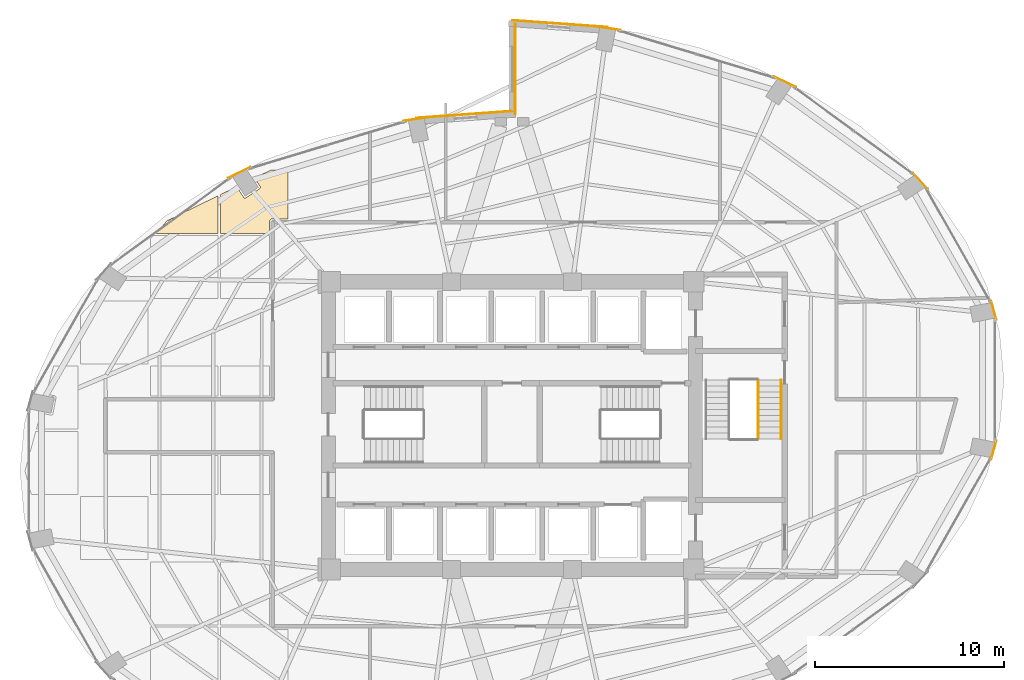
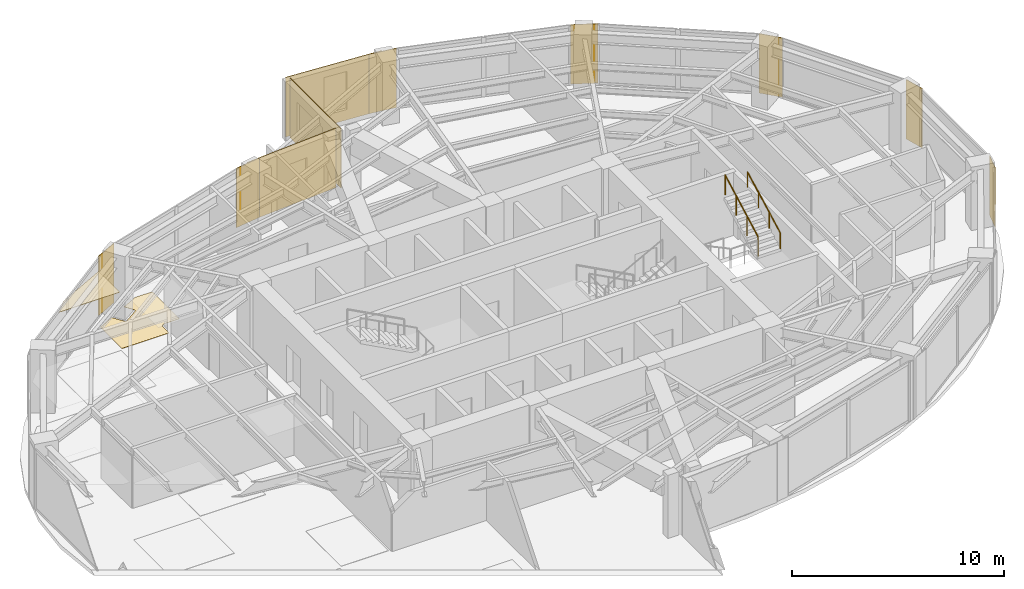
# One storey, part 23 of 23: 12 coverings, 2 railings.
"""IFC4 building model written with IfcOpenShell, lengths in metres."""

from ifc_helpers import new_model, si_unit, direction, frame, origin, origin_2d, place, context, subcontext, project, spatial, polyline, rectangle, circle, outline, extrude, material, layer, layer_set, type_object, element, save


model = new_model("IFC4")

# Units and contexts
model_context = context("Model", 3, precision=1e-05, world=origin(), true_north=direction((0.0, 1.0)))
body_context = subcontext(model_context, "Body", "Model", "MODEL_VIEW")
ifc_project = project(units=[si_unit("LENGTHUNIT", "METRE"), si_unit("AREAUNIT", "SQUARE_METRE"), si_unit("VOLUMEUNIT", "CUBIC_METRE"), si_unit("PLANEANGLEUNIT", "RADIAN"), si_unit("MASSUNIT", "GRAM", prefix="KILO")], contexts=[model_context])

# Site, building, storey
site_placement = place(None, origin())
site = spatial("IfcSite", under=ifc_project, at=site_placement, CompositionType="ELEMENT")
building_placement = place(site_placement, origin())
building = spatial("IfcBuilding", under=site, at=building_placement, Name="Lazwardi Medical Tower", CompositionType="ELEMENT")
storey_placement = place(building_placement, frame((0.0, 0.0, 121.8720703125)))
storey = spatial("IfcBuildingStorey", under=building, at=storey_placement, Name="L31", CompositionType="ELEMENT", Elevation=121.8720703125)

# Coverings
ifc_material_1 = material(Name="Anodised bronze aluminium cassette cladding", Category="aluminium")
ifc_layer_1 = layer(ifc_material_1, 0.030029296875)
ifc_layer_set_1 = layer_set([ifc_layer_1], Name="Anodised bronze aluminium cassette cladding")
covering_type_1 = type_object("IfcCoveringType", Name="COV-CLD-BRZ", PredefinedType="CLADDING", material=ifc_layer_set_1)
for number, where, z_axis, x_axis, name in (
    (1, (61.459716796875, 26.700927734375, 0.0), (0.0, 0.0, 1.0), (0.262696108164, 0.964878621774, 0.0), "L31 Mega-column bronze cassette cover M04"),
    (2, (61.459716796875, 34.09912109375, 0.0), (0.0, 0.0, 1.0), (-0.262696108164, 0.964878621774, 0.0), "L31 Mega-column bronze cassette cover M05"),
):
    element("IfcCovering", number, at=place(storey_placement, frame(where, z_axis=z_axis, x_axis=x_axis)), inside=storey, type_object=covering_type_1, Name=name, PredefinedType="CLADDING", context=body_context, shape_type="SweptSolid", body=[
        extrude(rectangle(XDim=1.04296875, YDim=0.030029296875, at=origin_2d()), origin(), (0.0, 0.0, 1.0), 3.427978515625),
    ])
covering_1_placement = place(storey_placement, frame((57.583740234375, 40.93408203125, 0.0), z_axis=(0.0, 0.0, 1.0), x_axis=(-0.674925949214, 0.737885467453, 0.0)))
element("IfcCovering", 3, at=covering_1_placement, inside=storey, type_object=covering_type_1, Name="L31 Mega-column bronze cassette cover M06", PredefinedType="CLADDING", context=body_context, shape_type="SweptSolid", body=[
    extrude(rectangle(XDim=1.15625, YDim=0.030029296875, at=origin_2d()), origin(), (0.0, 0.0, 1.0), 3.427978515625),
])
covering_2_placement = place(storey_placement, frame((50.421875, 46.16552734375, 0.0), z_axis=(0.0, 0.0, 1.0), x_axis=(-0.898679250201, 0.438606435495, 0.0)))
element("IfcCovering", 4, at=covering_2_placement, inside=storey, type_object=covering_type_1, Name="L31 Mega-column bronze cassette cover M07", PredefinedType="CLADDING", context=body_context, shape_type="SweptSolid", body=[
    extrude(rectangle(XDim=1.2998046875, YDim=0.030029296875, at=origin_2d()), origin(), (0.0, 0.0, 1.0), 3.427978515625),
])
for number, where, z_axis, x_axis, name in (
    (5, (41.064208984375, 48.99658203125, 0.0), (0.0, 0.0, 1.0), (-0.989609019093, 0.143784523955, 0.0), "L31 Mega-column bronze cassette cover M08"),
    (6, (30.935791015625, 44.19677734375, 0.0), (0.0, 0.0, 1.0), (-0.989609019093, -0.143784523955, 0.0), "L31 Mega-column bronze cassette cover M09"),
):
    element("IfcCovering", number, at=place(storey_placement, frame(where, z_axis=z_axis, x_axis=x_axis)), inside=storey, type_object=covering_type_1, Name=name, PredefinedType="CLADDING", context=body_context, shape_type="SweptSolid", body=[
        extrude(rectangle(XDim=1.392333984375, YDim=0.030029296875, at=origin_2d()), origin(), (0.0, 0.0, 1.0), 3.427978515625),
    ])
covering_3_placement = place(storey_placement, frame((21.578125, 41.365478515625, 0.0), z_axis=(0.0, 0.0, 1.0), x_axis=(-0.898679250201, -0.438606435495, 0.0)))
element("IfcCovering", 7, at=covering_3_placement, inside=storey, type_object=covering_type_1, Name="L31 Mega-column bronze cassette cover M10", PredefinedType="CLADDING", context=body_context, shape_type="SweptSolid", body=[
    extrude(rectangle(XDim=1.2998046875, YDim=0.030029296875, at=origin_2d()), origin(), (0.0, 0.0, 1.0), 3.427978515625),
])
ifc_material_2 = material(Name="Turquoise glazed ceramic tilework cladding", Category="masonry")
ifc_layer_2 = layer(ifc_material_2, 0.034912109375)
ifc_layer_set_2 = layer_set([ifc_layer_2], Name="Turquoise glazed ceramic tilework cladding")
covering_type_2 = type_object("IfcCoveringType", Name="COV-CLD-TRQ", PredefinedType="CLADDING", material=ifc_layer_set_2)
covering_4_placement = place(storey_placement, frame((38.533203125, 49.23388671875, 0.0), z_axis=(0.0, 0.0, 1.0), x_axis=(-0.997431665415, 0.07162452672, 0.0)))
element("IfcCovering", 8, at=covering_4_placement, inside=storey, type_object=covering_type_2, Name="L31 Turquoise glazed ceramic tilework cladding", PredefinedType="CLADDING", context=body_context, shape_type="SweptSolid", body=[
    extrude(rectangle(XDim=5.05419921875, YDim=0.034912109375, at=origin_2d()), origin(), (0.0, 0.0, 1.0), 3.427978515625),
])
covering_5_placement = place(storey_placement, frame((33.466552734375, 44.43408203125, 0.0), z_axis=(0.0, 0.0, 1.0), x_axis=(-0.997431165357, -0.071631490105, 0.0)))
element("IfcCovering", 9, at=covering_5_placement, inside=storey, type_object=covering_type_2, Name="L31 Turquoise glazed ceramic tilework cladding", PredefinedType="CLADDING", context=body_context, shape_type="SweptSolid", body=[
    extrude(rectangle(XDim=5.0537109375, YDim=0.034912109375, at=origin_2d()), origin(), (0.0, 0.0, 1.0), 3.427978515625),
])
covering_6_placement = place(storey_placement, frame((36.175537109375, 46.840087890625, 0.0), z_axis=(0.0, 0.0, 1.0), x_axis=(0.0, -1.0, 0.0)))
element("IfcCovering", 10, at=covering_6_placement, inside=storey, type_object=covering_type_2, Name="L31 Turquoise glazed ceramic tilework iwan panel", PredefinedType="CLADDING", context=body_context, shape_type="SweptSolid", body=[
    extrude(rectangle(XDim=4.800048828125, YDim=0.034912109375, at=origin_2d()), origin(), (0.0, 0.0, 1.0), 3.427978515625),
])
ifc_material_3 = material(Name="Acoustic mineral fibre tile")
ifc_layer_3 = layer(ifc_material_3, 0.02490234375)
ifc_layer_set_3 = layer_set([ifc_layer_3], Name="Acoustic mineral fibre tile")
covering_type_3 = type_object("IfcCoveringType", Name="COV-CLG-01", PredefinedType="CEILING", material=ifc_layer_set_3)
covering_7_placement = place(storey_placement, frame((0.0, 0.0, 3.282958984375)))
element("IfcCovering", 11, at=covering_7_placement, inside=storey, type_object=covering_type_3, Name="L31 Clinical Acoustic Ceiling 6", PredefinedType="CEILING", context=body_context, shape_type="SweptSolid", body=[
    extrude(outline(polyline([(20.472900390625, 40.148681640625), (17.791259765625, 38.84228515625), (17.167724609375, 38.162353515625), (20.472900390625, 38.162353515625), (20.472900390625, 40.148681640625)])), origin(), (0.0, 0.0, 1.0), 0.02490234375),
])
ifc_material_4 = material(Name="Anti-static hospital vinyl sheet flooring")
ifc_layer_4 = layer(ifc_material_4, 0.014892578125)
ifc_layer_set_4 = layer_set([ifc_layer_4], Name="Anti-static hospital vinyl sheet flooring")
covering_type_4 = type_object("IfcCoveringType", Name="COV-FLR-01", PredefinedType="FLOORING", material=ifc_layer_set_4)
covering_8_placement = place(storey_placement, origin())
element("IfcCovering", 12, at=covering_8_placement, inside=storey, type_object=covering_type_4, Name="L31 Clinical Vinyl Flooring 9", PredefinedType="FLOORING", context=body_context, shape_type="SweptSolid", body=[
    extrude(outline(polyline([(23.232177734375, 41.492431640625), (22.39111328125, 41.082763671875), (22.693115234375, 40.630859375), (22.697265625, 40.6240234375), (22.700439453125, 40.616943359375), (22.703125, 40.609619140625), (22.705078125, 40.60205078125), (22.706298828125, 40.59423828125), (22.70654296875, 40.58642578125), (22.706298828125, 40.57861328125), (22.705078125, 40.57080078125), (22.703125, 40.563232421875), (22.700439453125, 40.555908203125), (22.697265625, 40.548583984375), (22.693115234375, 40.5419921875), (22.6884765625, 40.53564453125), (22.68310546875, 40.52978515625), (22.677490234375, 40.524658203125), (22.6708984375, 40.52001953125), (21.939208984375, 40.031005859375), (21.9326171875, 40.02685546875), (21.925537109375, 40.023681640625), (21.918212890625, 40.02099609375), (21.910400390625, 40.01904296875), (21.902587890625, 40.017822265625), (21.89501953125, 40.017578125), (21.88720703125, 40.017822265625), (21.87939453125, 40.01904296875), (21.87158203125, 40.02099609375), (21.8642578125, 40.023681640625), (21.857177734375, 40.02685546875), (21.8505859375, 40.031005859375), (21.843994140625, 40.03564453125), (21.83837890625, 40.041015625), (21.8330078125, 40.046875), (21.828369140625, 40.052978515625), (21.447509765625, 40.623291015625), (20.593017578125, 40.20703125), (20.593017578125, 38.162353515625), (23.175048828125, 38.162353515625), (23.175048828125, 38.75), (23.175048828125, 38.75439453125), (23.175537109375, 38.763671875), (23.17626953125, 38.7705078125), (23.177490234375, 38.77978515625), (23.17919921875, 38.7880859375), (23.181396484375, 38.797119140625), (23.18359375, 38.80419921875), (23.186767578125, 38.81298828125), (23.18994140625, 38.82080078125), (23.194091796875, 38.8291015625), (23.197509765625, 38.8359375), (23.202392578125, 38.843994140625), (23.206787109375, 38.8505859375), (23.21240234375, 38.858154296875), (23.217041015625, 38.86376953125), (23.223388671875, 38.87060546875), (23.229248046875, 38.876708984375), (23.236083984375, 38.8828125), (23.24169921875, 38.887451171875), (23.249267578125, 38.89306640625), (23.256103515625, 38.897705078125), (23.263916015625, 38.90234375), (23.270751953125, 38.906005859375), (23.279296875, 38.909912109375), (23.287109375, 38.913330078125), (23.2958984375, 38.91650390625), (23.302734375, 38.91845703125), (23.31201171875, 38.9208984375), (23.3203125, 38.92236328125), (23.32958984375, 38.923583984375), (23.33642578125, 38.92431640625), (23.345703125, 38.9248046875), (23.35009765625, 38.925048828125), (24.1728515625, 38.925048828125), (24.1728515625, 41.492431640625), (23.232177734375, 41.492431640625)])), origin(), (0.0, 0.0, 1.0), 0.014892578125),
])

# Railings
ifc_material_5 = material(Name="Stainless steel Grade 316", Category="steel")
railing_type_1 = type_object("IfcRailingType", Name="RLG-GRD-1150", PredefinedType="GUARDRAIL", material=ifc_material_5)
railing_1_placement = place(storey_placement, frame((49.010009765625, 27.300048828125, 1.98974609375)))
element("IfcRailing", 13, at=railing_1_placement, inside=storey, type_object=railing_type_1, Name="L31 ST3 stair guard 3", PredefinedType="GUARDRAIL", context=body_context, shape_type="SweptSolid", body=[
    extrude(circle(Radius=0.02392578125, at=origin_2d()), frame((0.0, 0.0, 1.1259765625), z_axis=(0.0, 0.881767849116, 0.471683644262), x_axis=(-1.0, 0.0, 0.0)), (0.0, 0.0, 1.0), 3.515380859375),
    extrude(circle(Radius=0.02099609375, at=origin_2d()), origin(), (0.0, 0.0, 1.0), 1.099853515625),
    extrude(circle(Radius=0.02099609375, at=origin_2d()), frame((0.0, 1.033203125, 0.552734375)), (0.0, 0.0, 1.0), 1.099853515625),
    extrude(circle(Radius=0.02099609375, at=origin_2d()), frame((0.0, 2.066650390625, 1.10546875)), (0.0, 0.0, 1.0), 1.099853515625),
    extrude(circle(Radius=0.02099609375, at=origin_2d()), frame((0.0, 3.099853515625, 1.658203125)), (0.0, 0.0, 1.0), 1.099853515625),
])
railing_type_2 = type_object("IfcRailingType", Name="RLG-HND-920", PredefinedType="HANDRAIL", material=ifc_material_5)
railing_2_placement = place(storey_placement, frame((50.22998046875, 27.300048828125, 1.98974609375)))
element("IfcRailing", 14, at=railing_2_placement, inside=storey, type_object=railing_type_2, Name="L31 ST3 stair handrail 2", PredefinedType="HANDRAIL", context=body_context, shape_type="SweptSolid", body=[
    extrude(circle(Radius=0.02392578125, at=origin_2d()), frame((0.0, 0.0, 0.8857421875), z_axis=(0.0, 0.881767849116, 0.471683644262), x_axis=(-1.0, 0.0, 0.0)), (0.0, 0.0, 1.0), 3.515380859375),
    extrude(circle(Radius=0.02099609375, at=origin_2d()), origin(), (0.0, 0.0, 1.0), 0.85986328125),
    extrude(circle(Radius=0.02099609375, at=origin_2d()), frame((0.0, 1.033203125, 0.552734375)), (0.0, 0.0, 1.0), 0.85986328125),
    extrude(circle(Radius=0.02099609375, at=origin_2d()), frame((0.0, 2.066650390625, 1.10546875)), (0.0, 0.0, 1.0), 0.85986328125),
    extrude(circle(Radius=0.02099609375, at=origin_2d()), frame((0.0, 3.099853515625, 1.658203125)), (0.0, 0.0, 1.0), 0.85986328125),
])

save(model, "model.ifc")
